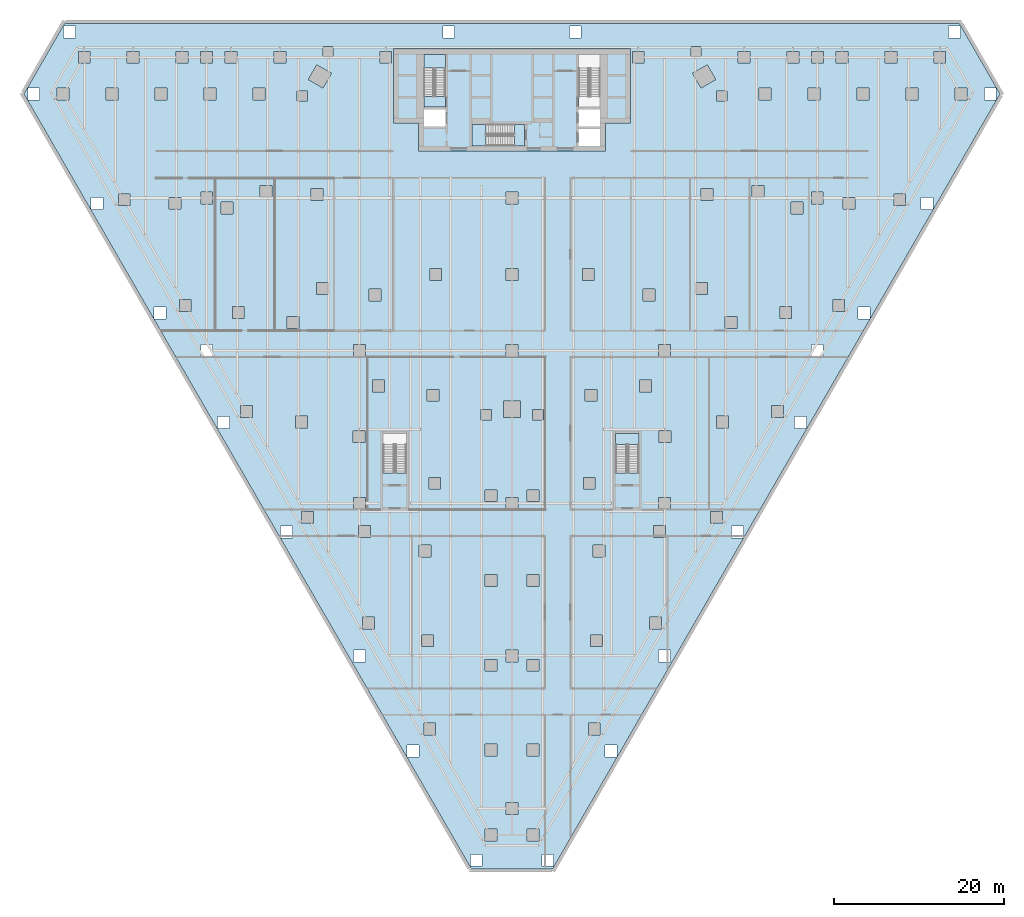
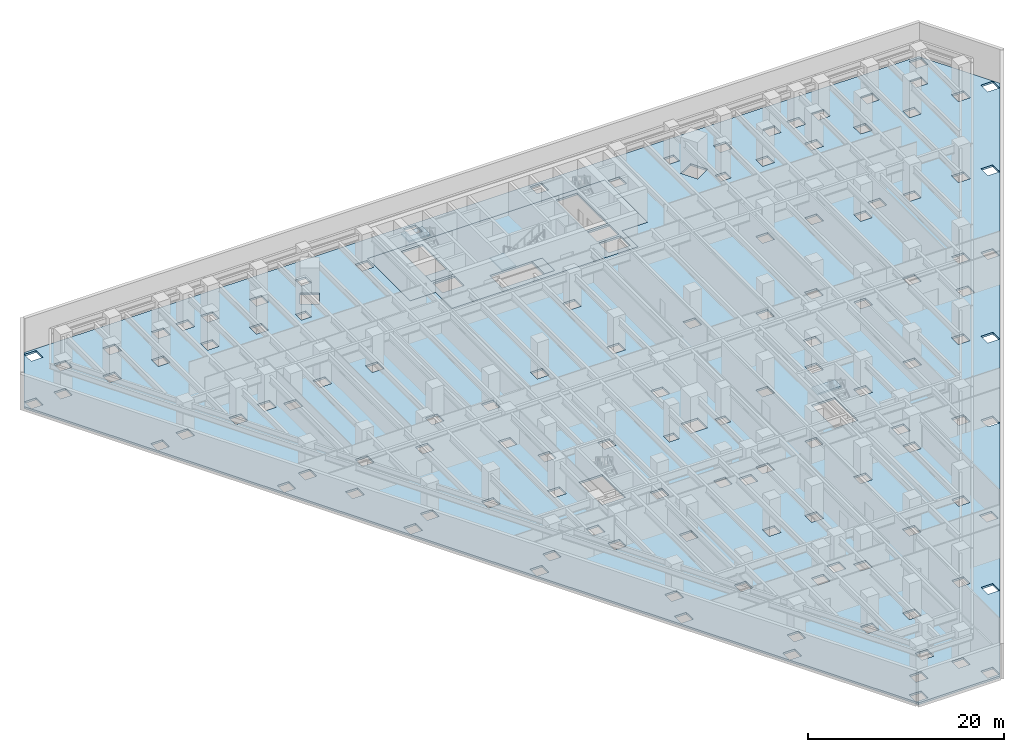
# One storey, part 6 of 20: 7 slabs, 3 elements without a shape of their own.
"""IFC4 building model written with IfcOpenShell, lengths in metres."""

from ifc_helpers import new_model, si_unit, direction, frame, origin, place, context, subcontext, project, spatial, polyline, outline, extrude, material, layer, layer_set, type_object, element, aggregate, save


model = new_model("IFC4")

# Units and contexts
model_context = context("Model", 3, precision=1e-05, world=origin(), true_north=direction((0.0, 1.0)))
body_context = subcontext(model_context, "Body", "Model", "MODEL_VIEW")
ifc_project = project(units=[si_unit("LENGTHUNIT", "METRE"), si_unit("AREAUNIT", "SQUARE_METRE"), si_unit("VOLUMEUNIT", "CUBIC_METRE"), si_unit("PLANEANGLEUNIT", "RADIAN"), si_unit("MASSUNIT", "GRAM", prefix="KILO")], contexts=[model_context])

# Site, building, storey
site_placement = place(None, origin())
site = spatial("IfcSite", under=ifc_project, at=site_placement, CompositionType="ELEMENT")
building_placement = place(site_placement, origin())
building = spatial("IfcBuilding", under=site, at=building_placement, Name="Aloe Facet Convention Tower", CompositionType="ELEMENT")
storey_placement = place(building_placement, frame((0.0, 0.0, -4.5)))
storey = spatial("IfcBuildingStorey", under=building, at=storey_placement, Name="B1", CompositionType="ELEMENT", Elevation=-4.5)

# Slabs
ifc_material_1 = material(Name="Concrete C80/95", Category="concrete")
ifc_layer_1 = layer(ifc_material_1, 0.25)
ifc_layer_set_1 = layer_set([ifc_layer_1], Name="CR-S-FLOOR250-C8095")
slab_type_1 = type_object("IfcSlabType", Name="CR-S-FLOOR250-C8095", PredefinedType="FLOOR", material=ifc_layer_set_1)
slab_1_placement = place(storey_placement, frame((0.0, 0.0, -0.25)))
element("IfcSlab", 1, at=slab_1_placement, inside=storey, type_object=slab_type_1, Name="Core floor B1", PredefinedType="FLOOR", context=body_context, shape_type="SweptSolid", body=[
    extrude(outline(polyline([(69.300048828125, 134.550048828125), (71.85009765625, 134.550048828125), (72.75, 134.550048828125), (74.699951171875, 134.550048828125), (75.60009765625, 134.550048828125), (77.10009765625, 134.550048828125), (78.0, 134.550048828125), (82.0, 134.550048828125), (82.89990234375, 134.550048828125), (84.39990234375, 134.550048828125), (85.300048828125, 134.550048828125), (87.25, 134.550048828125), (88.14990234375, 134.550048828125), (90.699951171875, 134.550048828125), (91.0, 134.550048828125), (94.0, 134.550048828125), (94.0, 131.949951171875), (94.0, 131.050048828125), (94.0, 129.35009765625), (94.0, 128.449951171875), (94.0, 125.85009765625), (91.0, 125.85009765625), (91.0, 125.75), (91.0, 124.85009765625), (91.0, 122.550048828125), (88.14990234375, 122.550048828125), (87.25, 122.550048828125), (85.300048828125, 122.550048828125), (84.39990234375, 122.550048828125), (82.10009765625, 122.550048828125), (81.199951171875, 122.550048828125), (75.60009765625, 122.550048828125), (74.699951171875, 122.550048828125), (72.75, 122.550048828125), (71.85009765625, 122.550048828125), (69.0, 122.550048828125), (69.0, 124.85009765625), (69.0, 125.75), (69.0, 125.85009765625), (66.0, 125.85009765625), (66.0, 128.449951171875), (66.0, 129.35009765625), (66.0, 131.050048828125), (66.0, 131.949951171875), (66.0, 134.550048828125), (69.0, 134.550048828125), (69.300048828125, 134.550048828125)]), holes=[polyline([(90.39990234375, 125.14990234375), (87.85009765625, 125.14990234375), (87.85009765625, 123.14990234375), (90.39990234375, 123.14990234375), (90.39990234375, 125.14990234375)]), polyline([(80.298828125, 123.14990234375), (81.5, 123.14990234375), (81.5, 125.699951171875), (80.298828125, 125.699951171875), (75.300048828125, 125.699951171875), (75.300048828125, 123.14990234375), (80.298828125, 123.14990234375)]), polyline([(72.14990234375, 125.449951171875), (72.14990234375, 127.449951171875), (69.60009765625, 127.449951171875), (69.60009765625, 125.449951171875), (72.14990234375, 125.449951171875)]), polyline([(90.39990234375, 127.449951171875), (87.85009765625, 127.449951171875), (87.85009765625, 125.449951171875), (90.39990234375, 125.449951171875), (90.39990234375, 127.449951171875)]), polyline([(69.60009765625, 128.951171875), (69.60009765625, 127.75), (72.14990234375, 127.75), (72.14990234375, 128.951171875), (72.14990234375, 133.949951171875), (69.60009765625, 133.949951171875), (69.60009765625, 128.951171875)]), polyline([(87.85009765625, 128.951171875), (87.85009765625, 127.75), (90.39990234375, 127.75), (90.39990234375, 128.951171875), (90.39990234375, 133.949951171875), (87.85009765625, 133.949951171875), (87.85009765625, 128.951171875)])]), origin(), (0.0, 0.0, 1.0), 0.25),
])
ifc_material_2 = material(Name="Concrete C80/95", Category="concrete")
ifc_layer_2 = layer(ifc_material_2, 0.300048828125)
ifc_layer_set_2 = layer_set([ifc_layer_2], Name="CR-S-FLOOR300-C8095")
slab_type_2 = type_object("IfcSlabType", Name="CR-S-FLOOR300-C8095", PredefinedType="FLOOR", material=ifc_layer_set_2)
slab_2_placement = place(storey_placement, frame((0.0, 0.0, -0.300048828125)))
element("IfcSlab", 2, at=slab_2_placement, inside=storey, type_object=slab_type_2, Name="Stair landing floor B1", PredefinedType="FLOOR", context=body_context, shape_type="SweptSolid", body=[
    extrude(outline(polyline([(72.14990234375, 127.75), (72.14990234375, 128.951171875), (69.60009765625, 128.951171875), (69.60009765625, 127.75), (72.14990234375, 127.75)])), origin(), (0.0, 0.0, 1.0), 0.300048828125),
])
slab_3_placement = place(storey_placement, frame((0.0, 0.0, -0.300048828125)))
element("IfcSlab", 3, at=slab_3_placement, inside=storey, type_object=slab_type_2, Name="Stair landing floor B1", PredefinedType="FLOOR", context=body_context, shape_type="SweptSolid", body=[
    extrude(outline(polyline([(81.5, 125.699951171875), (80.298828125, 125.699951171875), (80.298828125, 123.14990234375), (81.5, 123.14990234375), (81.5, 125.699951171875)])), origin(), (0.0, 0.0, 1.0), 0.300048828125),
])

# Stair, slab
ifc_material_3 = material(Name="Concrete C50/60", Category="concrete")
stair_type_1 = type_object("IfcStairType", Name="CR-ST-26R", PredefinedType="HALF_TURN_STAIR", material=ifc_material_3)
stair_1_placement = place(storey_placement, origin())
stair_1 = element("IfcStair", 4, at=stair_1_placement, inside=storey, type_object=stair_type_1, Name="B1 Protected exit stair ST1", PredefinedType="HALF_TURN_STAIR")
ifc_material_4 = material(Name="Concrete C50/60", Category="concrete")
ifc_layer_3 = layer(ifc_material_4, 0.199951171875)
ifc_layer_set_3 = layer_set([ifc_layer_3], Name="CR-SL-LANDING")
slab_type_3 = type_object("IfcSlabType", Name="CR-SL-LANDING", PredefinedType="LANDING", material=ifc_layer_set_3)
slab_4_placement = place(storey_placement, frame((0.0, 0.0, 2.050048828125)))
slab_4 = element("IfcSlab", 5, at=slab_4_placement, type_object=slab_type_3, Name="ST1 landing 1", PredefinedType="LANDING", context=body_context, shape_type="SweptSolid", body=[
    extrude(outline(polyline([(72.14990234375, 132.31005859375), (72.14990234375, 133.949951171875), (69.60009765625, 133.949951171875), (69.60009765625, 132.31005859375), (72.14990234375, 132.31005859375)])), origin(), (0.0, 0.0, 1.0), 0.199951171875),
])
aggregate(stair_1, [slab_4])

stair_2_placement = place(storey_placement, origin())
stair_2 = element("IfcStair", 6, at=stair_2_placement, inside=storey, type_object=stair_type_1, Name="B1 Protected exit stair ST3", PredefinedType="HALF_TURN_STAIR")
slab_5_placement = place(storey_placement, frame((0.0, 0.0, 2.050048828125)))
slab_5 = element("IfcSlab", 7, at=slab_5_placement, type_object=slab_type_3, Name="ST3 landing 1", PredefinedType="LANDING", context=body_context, shape_type="SweptSolid", body=[
    extrude(outline(polyline([(76.93994140625, 125.699951171875), (75.300048828125, 125.699951171875), (75.300048828125, 123.14990234375), (76.93994140625, 123.14990234375), (76.93994140625, 125.699951171875)])), origin(), (0.0, 0.0, 1.0), 0.199951171875),
])
aggregate(stair_2, [slab_5])

ifc_material_5 = material(Name="Concrete C50/60", Category="concrete")
stair_type_2 = type_object("IfcStairType", Name="CR-ST-26R-W1300", PredefinedType="HALF_TURN_STAIR", material=ifc_material_5)
stair_3_placement = place(storey_placement, origin())
stair_3 = element("IfcStair", 8, at=stair_3_placement, inside=storey, type_object=stair_type_2, Name="B1 Protected exit stair ST6", PredefinedType="HALF_TURN_STAIR")
slab_6_placement = place(storey_placement, frame((0.0, 0.0, 2.050048828125)))
slab_6 = element("IfcSlab", 9, at=slab_6_placement, type_object=slab_type_3, Name="ST6 landing 1", PredefinedType="LANDING", context=body_context, shape_type="SweptSolid", body=[
    extrude(outline(polyline([(94.97509765625, 87.909912109375), (94.97509765625, 89.25), (92.22509765625, 89.25), (92.22509765625, 87.909912109375), (94.97509765625, 87.909912109375)])), origin(), (0.0, 0.0, 1.0), 0.199951171875),
])
aggregate(stair_3, [slab_6])

# Slab
ifc_material_6 = material(Name="Concrete C35/45", Category="concrete")
ifc_layer_4 = layer(ifc_material_6, 0.25)
ifc_layer_set_4 = layer_set([ifc_layer_4], Name="SF-FS-250")
slab_type_4 = type_object("IfcSlabType", Name="SF-FS-250", PredefinedType="FLOOR", material=ifc_layer_set_4)
slab_7_placement = place(storey_placement, frame((0.0, 0.0, -0.25)))
element("IfcSlab", 10, at=slab_7_placement, inside=storey, type_object=slab_type_4, Name="Floor slab B1-1", PredefinedType="FLOOR", context=body_context, shape_type="SweptSolid", body=[
    extrude(outline(polyline([(84.801025390625, 37.88623046875), (75.198974609375, 37.88623046875), (22.430419921875, 129.2841796875), (27.2314453125, 137.60009765625), (132.7685546875, 137.60009765625), (137.569580078125, 129.2841796875), (84.801025390625, 37.88623046875)]), holes=[polyline([(52.708984375, 76.927978515625), (54.10888671875, 76.927978515625), (54.10888671875, 78.327880859375), (52.708984375, 78.327880859375), (52.708984375, 76.927978515625)]), polyline([(55.18310546875, 80.04296875), (55.18310546875, 78.64306640625), (56.5830078125, 78.64306640625), (56.5830078125, 80.04296875), (55.18310546875, 80.04296875)]), polyline([(45.2529296875, 91.241943359375), (45.2529296875, 89.842041015625), (46.653076171875, 89.842041015625), (46.653076171875, 91.241943359375), (45.2529296875, 91.241943359375)]), polyline([(54.465087890625, 91.284912109375), (54.465087890625, 89.885009765625), (55.864990234375, 89.885009765625), (55.864990234375, 91.284912109375), (54.465087890625, 91.284912109375)]), polyline([(47.97412109375, 92.528076171875), (47.97412109375, 91.1279296875), (49.3740234375, 91.1279296875), (49.3740234375, 92.528076171875), (47.97412109375, 92.528076171875)]), polyline([(43.300048828125, 99.699951171875), (43.300048828125, 98.300048828125), (44.699951171875, 98.300048828125), (44.699951171875, 99.699951171875), (43.300048828125, 99.699951171875)]), polyline([(53.4609375, 103.02490234375), (53.4609375, 101.625), (54.861083984375, 101.625), (54.861083984375, 103.02490234375), (53.4609375, 103.02490234375)]), polyline([(37.797119140625, 104.156005859375), (37.797119140625, 102.756103515625), (39.197021484375, 102.756103515625), (39.197021484375, 104.156005859375), (37.797119140625, 104.156005859375)]), polyline([(47.01806640625, 104.18505859375), (47.01806640625, 102.784912109375), (48.41796875, 102.784912109375), (48.41796875, 104.18505859375), (47.01806640625, 104.18505859375)]), polyline([(40.76611328125, 105.012939453125), (40.76611328125, 103.613037109375), (42.166015625, 103.613037109375), (42.166015625, 105.012939453125), (40.76611328125, 105.012939453125)]), polyline([(45.678955078125, 116.5048828125), (45.678955078125, 115.10498046875), (47.0791015625, 115.10498046875), (47.0791015625, 116.5048828125), (45.678955078125, 116.5048828125)]), polyline([(30.341064453125, 117.070068359375), (30.341064453125, 115.669921875), (31.740966796875, 115.669921875), (31.740966796875, 117.070068359375), (30.341064453125, 117.070068359375)]), polyline([(39.570068359375, 117.0849609375), (39.570068359375, 115.68505859375), (40.969970703125, 115.68505859375), (40.969970703125, 117.0849609375), (39.570068359375, 117.0849609375)]), polyline([(33.55810546875, 117.4990234375), (33.55810546875, 116.09912109375), (34.9580078125, 116.09912109375), (34.9580078125, 117.4990234375), (33.55810546875, 117.4990234375)]), polyline([(43.300048828125, 117.699951171875), (43.300048828125, 116.300048828125), (44.699951171875, 116.300048828125), (44.699951171875, 117.699951171875), (43.300048828125, 117.699951171875)]), polyline([(56.283935546875, 118.135009765625), (56.283935546875, 116.735107421875), (57.68408203125, 116.735107421875), (57.68408203125, 118.135009765625), (56.283935546875, 118.135009765625)]), polyline([(50.297119140625, 118.5048828125), (50.297119140625, 117.10498046875), (51.697021484375, 117.10498046875), (51.697021484375, 118.5048828125), (50.297119140625, 118.5048828125)]), polyline([(54.65625, 129.6279296875), (54.65625, 128.427978515625), (55.856201171875, 128.427978515625), (55.856201171875, 129.6279296875), (54.65625, 129.6279296875)]), polyline([(49.443115234375, 129.98388671875), (49.443115234375, 128.583984375), (50.843017578125, 128.583984375), (50.843017578125, 129.98388671875), (49.443115234375, 129.98388671875)]), polyline([(26.34912109375, 129.98388671875), (26.34912109375, 128.583984375), (27.7490234375, 128.583984375), (27.7490234375, 129.98388671875), (26.34912109375, 129.98388671875)]), polyline([(43.669921875, 129.98388671875), (43.669921875, 128.583984375), (45.070068359375, 128.583984375), (45.070068359375, 129.98388671875), (43.669921875, 129.98388671875)]), polyline([(37.89599609375, 129.98388671875), (37.89599609375, 128.583984375), (39.2958984375, 128.583984375), (39.2958984375, 129.98388671875), (37.89599609375, 129.98388671875)]), polyline([(32.123046875, 129.98388671875), (32.123046875, 128.583984375), (33.52294921875, 128.583984375), (33.52294921875, 129.98388671875), (32.123046875, 129.98388671875)]), polyline([(22.885009765625, 129.98388671875), (22.885009765625, 128.583984375), (24.284912109375, 128.583984375), (24.284912109375, 129.98388671875), (22.885009765625, 129.98388671875)]), polyline([(57.70166015625, 129.97607421875), (58.70166015625, 131.7080078125), (56.969482421875, 132.7080078125), (55.969482421875, 130.97607421875), (57.70166015625, 129.97607421875)]), polyline([(46.160888671875, 134.300048828125), (46.160888671875, 132.89990234375), (47.56103515625, 132.89990234375), (47.56103515625, 134.300048828125), (46.160888671875, 134.300048828125)]), polyline([(43.258056640625, 134.300048828125), (43.258056640625, 132.89990234375), (44.657958984375, 132.89990234375), (44.657958984375, 134.300048828125), (43.258056640625, 134.300048828125)]), polyline([(40.387939453125, 134.300048828125), (40.387939453125, 132.89990234375), (41.7880859375, 132.89990234375), (41.7880859375, 134.300048828125), (40.387939453125, 134.300048828125)]), polyline([(51.93505859375, 134.300048828125), (51.93505859375, 132.89990234375), (53.3349609375, 132.89990234375), (53.3349609375, 134.300048828125), (51.93505859375, 134.300048828125)]), polyline([(34.614013671875, 134.300048828125), (34.614013671875, 132.89990234375), (36.013916015625, 132.89990234375), (36.013916015625, 134.300048828125), (34.614013671875, 134.300048828125)]), polyline([(28.841064453125, 134.300048828125), (28.841064453125, 132.89990234375), (30.240966796875, 132.89990234375), (30.240966796875, 134.300048828125), (28.841064453125, 134.300048828125)]), polyline([(27.10888671875, 137.300048828125), (27.10888671875, 135.89990234375), (28.509033203125, 135.89990234375), (28.509033203125, 137.300048828125), (27.10888671875, 137.300048828125)]), polyline([(75.075927734375, 39.5859375), (75.075927734375, 38.18603515625), (76.47607421875, 38.18603515625), (76.47607421875, 39.5859375), (75.075927734375, 39.5859375)]), polyline([(76.80810546875, 42.5859375), (76.80810546875, 41.18603515625), (78.2080078125, 41.18603515625), (78.2080078125, 42.5859375), (76.80810546875, 42.5859375)]), polyline([(67.6201171875, 52.5), (67.6201171875, 51.10009765625), (69.02001953125, 51.10009765625), (69.02001953125, 52.5), (67.6201171875, 52.5)]), polyline([(76.80810546875, 52.5859375), (76.80810546875, 51.18603515625), (78.2080078125, 51.18603515625), (78.2080078125, 52.5859375), (76.80810546875, 52.5859375)]), polyline([(69.60009765625, 55.072021484375), (69.60009765625, 53.672119140625), (71.0, 53.672119140625), (71.0, 55.072021484375), (69.60009765625, 55.072021484375)]), polyline([(76.80810546875, 62.5859375), (76.80810546875, 61.18603515625), (78.2080078125, 61.18603515625), (78.2080078125, 62.5859375), (76.80810546875, 62.5859375)]), polyline([(61.300048828125, 63.699951171875), (61.300048828125, 62.300048828125), (62.699951171875, 62.300048828125), (62.699951171875, 63.699951171875), (61.300048828125, 63.699951171875)]), polyline([(69.361083984375, 65.486083984375), (69.361083984375, 64.0859375), (70.760986328125, 64.0859375), (70.760986328125, 65.486083984375), (69.361083984375, 65.486083984375)]), polyline([(62.39111328125, 67.556884765625), (62.39111328125, 66.156982421875), (63.791015625, 66.156982421875), (63.791015625, 67.556884765625), (62.39111328125, 67.556884765625)]), polyline([(76.80810546875, 72.5859375), (76.80810546875, 71.18603515625), (78.2080078125, 71.18603515625), (78.2080078125, 72.5859375), (76.80810546875, 72.5859375)]), polyline([(69.02587890625, 76.06591796875), (69.02587890625, 74.666015625), (70.426025390625, 74.666015625), (70.426025390625, 76.06591796875), (69.02587890625, 76.06591796875)]), polyline([(61.9130859375, 78.385986328125), (61.9130859375, 76.986083984375), (63.31298828125, 76.986083984375), (63.31298828125, 78.385986328125), (61.9130859375, 78.385986328125)]), polyline([(61.300048828125, 81.699951171875), (61.300048828125, 80.300048828125), (62.699951171875, 80.300048828125), (62.699951171875, 81.699951171875), (61.300048828125, 81.699951171875)]), polyline([(76.80810546875, 82.5859375), (76.80810546875, 81.18603515625), (78.2080078125, 81.18603515625), (78.2080078125, 82.5859375), (76.80810546875, 82.5859375)]), polyline([(70.180908203125, 84.06591796875), (70.180908203125, 82.666015625), (71.5810546875, 82.666015625), (71.5810546875, 84.06591796875), (70.180908203125, 84.06591796875)]), polyline([(64.800048828125, 89.25), (64.800048828125, 84.55126953125), (67.550048828125, 84.55126953125), (67.550048828125, 89.25), (64.800048828125, 89.25)]), polyline([(61.242919921875, 89.544921875), (61.242919921875, 88.14501953125), (62.64306640625, 88.14501953125), (62.64306640625, 89.544921875), (61.242919921875, 89.544921875)]), polyline([(76.356201171875, 92.04248046875), (76.356201171875, 90.842529296875), (77.55615234375, 90.842529296875), (77.55615234375, 92.04248046875), (76.356201171875, 92.04248046875)]), polyline([(81.0, 93.086181640625), (79.0, 93.086181640625), (79.0, 91.086181640625), (81.0, 91.086181640625), (81.0, 93.086181640625)]), polyline([(69.967041015625, 94.43603515625), (69.967041015625, 93.035888671875), (71.366943359375, 93.035888671875), (71.366943359375, 94.43603515625), (69.967041015625, 94.43603515625)]), polyline([(63.552978515625, 95.544921875), (63.552978515625, 94.14501953125), (64.952880859375, 94.14501953125), (64.952880859375, 95.544921875), (63.552978515625, 95.544921875)]), polyline([(79.300048828125, 99.699951171875), (79.300048828125, 98.300048828125), (80.699951171875, 98.300048828125), (80.699951171875, 99.699951171875), (79.300048828125, 99.699951171875)]), polyline([(61.300048828125, 99.699951171875), (61.300048828125, 98.300048828125), (62.699951171875, 98.300048828125), (62.699951171875, 99.699951171875), (61.300048828125, 99.699951171875)]), polyline([(63.1259765625, 106.284912109375), (63.1259765625, 104.885009765625), (64.52587890625, 104.885009765625), (64.52587890625, 106.284912109375), (63.1259765625, 106.284912109375)]), polyline([(56.925048828125, 107.02490234375), (56.925048828125, 105.625), (58.324951171875, 105.625), (58.324951171875, 107.02490234375), (56.925048828125, 107.02490234375)]), polyline([(70.300048828125, 108.699951171875), (70.300048828125, 107.300048828125), (71.699951171875, 107.300048828125), (71.699951171875, 108.699951171875), (70.300048828125, 108.699951171875)]), polyline([(79.300048828125, 108.699951171875), (79.300048828125, 107.300048828125), (80.699951171875, 107.300048828125), (80.699951171875, 108.699951171875), (79.300048828125, 108.699951171875)]), polyline([(79.300048828125, 117.699951171875), (79.300048828125, 116.300048828125), (80.699951171875, 116.300048828125), (80.699951171875, 117.699951171875), (79.300048828125, 117.699951171875)]), polyline([(75.60009765625, 134.550048828125), (74.699951171875, 134.550048828125), (72.75, 134.550048828125), (71.85009765625, 134.550048828125), (69.300048828125, 134.550048828125), (69.0, 134.550048828125), (66.0, 134.550048828125), (66.0, 131.949951171875), (66.0, 131.050048828125), (66.0, 129.35009765625), (66.0, 128.449951171875), (66.0, 125.85009765625), (69.0, 125.85009765625), (69.0, 125.75), (69.0, 124.85009765625), (69.0, 122.550048828125), (71.85009765625, 122.550048828125), (72.75, 122.550048828125), (74.699951171875, 122.550048828125), (75.60009765625, 122.550048828125), (81.199951171875, 122.550048828125), (82.10009765625, 122.550048828125), (84.39990234375, 122.550048828125), (85.300048828125, 122.550048828125), (87.25, 122.550048828125), (88.14990234375, 122.550048828125), (91.0, 122.550048828125), (91.0, 124.85009765625), (91.0, 125.75), (91.0, 125.85009765625), (94.0, 125.85009765625), (94.0, 128.449951171875), (94.0, 129.35009765625), (94.0, 131.050048828125), (94.0, 131.949951171875), (94.0, 134.550048828125), (91.0, 134.550048828125), (90.699951171875, 134.550048828125), (88.14990234375, 134.550048828125), (87.25, 134.550048828125), (85.300048828125, 134.550048828125), (84.39990234375, 134.550048828125), (82.89990234375, 134.550048828125), (82.0, 134.550048828125), (78.0, 134.550048828125), (77.10009765625, 134.550048828125), (75.60009765625, 134.550048828125)]), polyline([(64.405029296875, 134.300048828125), (64.405029296875, 132.89990234375), (65.804931640625, 132.89990234375), (65.804931640625, 134.300048828125), (64.405029296875, 134.300048828125)]), polyline([(57.699951171875, 134.89990234375), (57.699951171875, 133.699951171875), (58.89990234375, 133.699951171875), (58.89990234375, 134.89990234375), (57.699951171875, 134.89990234375)]), polyline([(71.843994140625, 135.89990234375), (73.243896484375, 135.89990234375), (73.243896484375, 137.300048828125), (71.843994140625, 137.300048828125), (71.843994140625, 135.89990234375)]), polyline([(83.52392578125, 39.5859375), (83.52392578125, 38.18603515625), (84.924072265625, 38.18603515625), (84.924072265625, 39.5859375), (83.52392578125, 39.5859375)]), polyline([(81.7919921875, 42.5859375), (81.7919921875, 41.18603515625), (83.19189453125, 41.18603515625), (83.19189453125, 42.5859375), (81.7919921875, 42.5859375)]), polyline([(79.300048828125, 45.699951171875), (79.300048828125, 44.300048828125), (80.699951171875, 44.300048828125), (80.699951171875, 45.699951171875), (79.300048828125, 45.699951171875)]), polyline([(90.97998046875, 52.5), (90.97998046875, 51.10009765625), (92.3798828125, 51.10009765625), (92.3798828125, 52.5), (90.97998046875, 52.5)]), polyline([(81.7919921875, 52.5859375), (81.7919921875, 51.18603515625), (83.19189453125, 51.18603515625), (83.19189453125, 52.5859375), (81.7919921875, 52.5859375)]), polyline([(89.0, 55.072021484375), (89.0, 53.672119140625), (90.39990234375, 53.672119140625), (90.39990234375, 55.072021484375), (89.0, 55.072021484375)]), polyline([(81.7919921875, 62.5859375), (81.7919921875, 61.18603515625), (83.19189453125, 61.18603515625), (83.19189453125, 62.5859375), (81.7919921875, 62.5859375)]), polyline([(79.300048828125, 63.699951171875), (79.300048828125, 62.300048828125), (80.699951171875, 62.300048828125), (80.699951171875, 63.699951171875), (79.300048828125, 63.699951171875)]), polyline([(97.300048828125, 63.699951171875), (97.300048828125, 62.300048828125), (98.699951171875, 62.300048828125), (98.699951171875, 63.699951171875), (97.300048828125, 63.699951171875)]), polyline([(89.239013671875, 65.486083984375), (89.239013671875, 64.0859375), (90.638916015625, 64.0859375), (90.638916015625, 65.486083984375), (89.239013671875, 65.486083984375)]), polyline([(96.208984375, 67.556884765625), (96.208984375, 66.156982421875), (97.60888671875, 66.156982421875), (97.60888671875, 67.556884765625), (96.208984375, 67.556884765625)]), polyline([(81.7919921875, 72.5859375), (81.7919921875, 71.18603515625), (83.19189453125, 71.18603515625), (83.19189453125, 72.5859375), (81.7919921875, 72.5859375)]), polyline([(89.573974609375, 76.06591796875), (89.573974609375, 74.666015625), (90.97412109375, 74.666015625), (90.97412109375, 76.06591796875), (89.573974609375, 76.06591796875)]), polyline([(96.68701171875, 78.385986328125), (96.68701171875, 76.986083984375), (98.0869140625, 76.986083984375), (98.0869140625, 78.385986328125), (96.68701171875, 78.385986328125)]), polyline([(79.300048828125, 81.699951171875), (79.300048828125, 80.300048828125), (80.699951171875, 80.300048828125), (80.699951171875, 81.699951171875), (79.300048828125, 81.699951171875)]), polyline([(97.300048828125, 81.699951171875), (97.300048828125, 80.300048828125), (98.699951171875, 80.300048828125), (98.699951171875, 81.699951171875), (97.300048828125, 81.699951171875)]), polyline([(81.7919921875, 82.5859375), (81.7919921875, 81.18603515625), (83.19189453125, 81.18603515625), (83.19189453125, 82.5859375), (81.7919921875, 82.5859375)]), polyline([(88.4189453125, 84.06591796875), (88.4189453125, 82.666015625), (89.819091796875, 82.666015625), (89.819091796875, 84.06591796875), (88.4189453125, 84.06591796875)]), polyline([(92.22509765625, 89.25), (92.22509765625, 84.55126953125), (94.97509765625, 84.55126953125), (94.97509765625, 89.25), (92.22509765625, 89.25)]), polyline([(97.35693359375, 89.544921875), (97.35693359375, 88.14501953125), (98.757080078125, 88.14501953125), (98.757080078125, 89.544921875), (97.35693359375, 89.544921875)]), polyline([(82.44384765625, 92.04248046875), (82.44384765625, 90.842529296875), (83.643798828125, 90.842529296875), (83.643798828125, 92.04248046875), (82.44384765625, 92.04248046875)]), polyline([(88.633056640625, 94.43603515625), (88.633056640625, 93.035888671875), (90.032958984375, 93.035888671875), (90.032958984375, 94.43603515625), (88.633056640625, 94.43603515625)]), polyline([(95.047119140625, 95.544921875), (95.047119140625, 94.14501953125), (96.447021484375, 94.14501953125), (96.447021484375, 95.544921875), (95.047119140625, 95.544921875)]), polyline([(97.300048828125, 99.699951171875), (97.300048828125, 98.300048828125), (98.699951171875, 98.300048828125), (98.699951171875, 99.699951171875), (97.300048828125, 99.699951171875)]), polyline([(95.47412109375, 106.284912109375), (95.47412109375, 104.885009765625), (96.8740234375, 104.885009765625), (96.8740234375, 106.284912109375), (95.47412109375, 106.284912109375)]), polyline([(101.675048828125, 107.02490234375), (101.675048828125, 105.625), (103.074951171875, 105.625), (103.074951171875, 107.02490234375), (101.675048828125, 107.02490234375)]), polyline([(88.300048828125, 108.699951171875), (88.300048828125, 107.300048828125), (89.699951171875, 107.300048828125), (89.699951171875, 108.699951171875), (88.300048828125, 108.699951171875)]), polyline([(102.31591796875, 118.135009765625), (102.31591796875, 116.735107421875), (103.716064453125, 116.735107421875), (103.716064453125, 118.135009765625), (102.31591796875, 118.135009765625)]), polyline([(101.29833984375, 131.7080078125), (102.29833984375, 129.97607421875), (104.030517578125, 130.97607421875), (103.030517578125, 132.7080078125), (101.29833984375, 131.7080078125)]), polyline([(94.195068359375, 134.300048828125), (94.195068359375, 132.89990234375), (95.594970703125, 132.89990234375), (95.594970703125, 134.300048828125), (94.195068359375, 134.300048828125)]), polyline([(101.10009765625, 134.89990234375), (101.10009765625, 133.699951171875), (102.300048828125, 133.699951171875), (102.300048828125, 134.89990234375), (101.10009765625, 134.89990234375)]), polyline([(86.756103515625, 137.300048828125), (86.756103515625, 135.89990234375), (88.156005859375, 135.89990234375), (88.156005859375, 137.300048828125), (86.756103515625, 137.300048828125)]), polyline([(105.89111328125, 78.327880859375), (105.89111328125, 76.927978515625), (107.291015625, 76.927978515625), (107.291015625, 78.327880859375), (105.89111328125, 78.327880859375)]), polyline([(103.4169921875, 80.04296875), (103.4169921875, 78.64306640625), (104.81689453125, 78.64306640625), (104.81689453125, 80.04296875), (103.4169921875, 80.04296875)]), polyline([(113.346923828125, 91.241943359375), (113.346923828125, 89.842041015625), (114.7470703125, 89.842041015625), (114.7470703125, 91.241943359375), (113.346923828125, 91.241943359375)]), polyline([(104.135009765625, 91.284912109375), (104.135009765625, 89.885009765625), (105.534912109375, 89.885009765625), (105.534912109375, 91.284912109375), (104.135009765625, 91.284912109375)]), polyline([(110.6259765625, 92.528076171875), (110.6259765625, 91.1279296875), (112.02587890625, 91.1279296875), (112.02587890625, 92.528076171875), (110.6259765625, 92.528076171875)]), polyline([(115.300048828125, 99.699951171875), (115.300048828125, 98.300048828125), (116.699951171875, 98.300048828125), (116.699951171875, 99.699951171875), (115.300048828125, 99.699951171875)]), polyline([(105.138916015625, 103.02490234375), (105.138916015625, 101.625), (106.5390625, 101.625), (106.5390625, 103.02490234375), (105.138916015625, 103.02490234375)]), polyline([(120.802978515625, 104.156005859375), (120.802978515625, 102.756103515625), (122.202880859375, 102.756103515625), (122.202880859375, 104.156005859375), (120.802978515625, 104.156005859375)]), polyline([(111.58203125, 104.18505859375), (111.58203125, 102.784912109375), (112.98193359375, 102.784912109375), (112.98193359375, 104.18505859375), (111.58203125, 104.18505859375)]), polyline([(117.833984375, 105.012939453125), (117.833984375, 103.613037109375), (119.23388671875, 103.613037109375), (119.23388671875, 105.012939453125), (117.833984375, 105.012939453125)]), polyline([(112.9208984375, 116.5048828125), (112.9208984375, 115.10498046875), (114.321044921875, 115.10498046875), (114.321044921875, 116.5048828125), (112.9208984375, 116.5048828125)]), polyline([(128.259033203125, 117.070068359375), (128.259033203125, 115.669921875), (129.658935546875, 115.669921875), (129.658935546875, 117.070068359375), (128.259033203125, 117.070068359375)]), polyline([(119.030029296875, 117.0849609375), (119.030029296875, 115.68505859375), (120.429931640625, 115.68505859375), (120.429931640625, 117.0849609375), (119.030029296875, 117.0849609375)]), polyline([(125.0419921875, 117.4990234375), (125.0419921875, 116.09912109375), (126.44189453125, 116.09912109375), (126.44189453125, 117.4990234375), (125.0419921875, 117.4990234375)]), polyline([(115.300048828125, 117.699951171875), (115.300048828125, 116.300048828125), (116.699951171875, 116.300048828125), (116.699951171875, 117.699951171875), (115.300048828125, 117.699951171875)]), polyline([(108.302978515625, 118.5048828125), (108.302978515625, 117.10498046875), (109.702880859375, 117.10498046875), (109.702880859375, 118.5048828125), (108.302978515625, 118.5048828125)]), polyline([(104.143798828125, 129.6279296875), (104.143798828125, 128.427978515625), (105.34375, 128.427978515625), (105.34375, 129.6279296875), (104.143798828125, 129.6279296875)]), polyline([(114.929931640625, 129.98388671875), (114.929931640625, 128.583984375), (116.330078125, 128.583984375), (116.330078125, 129.98388671875), (114.929931640625, 129.98388671875)]), polyline([(120.7041015625, 129.98388671875), (120.7041015625, 128.583984375), (122.10400390625, 128.583984375), (122.10400390625, 129.98388671875), (120.7041015625, 129.98388671875)]), polyline([(109.156982421875, 129.98388671875), (109.156982421875, 128.583984375), (110.556884765625, 128.583984375), (110.556884765625, 129.98388671875), (109.156982421875, 129.98388671875)]), polyline([(126.47705078125, 129.98388671875), (126.47705078125, 128.583984375), (127.876953125, 128.583984375), (127.876953125, 129.98388671875), (126.47705078125, 129.98388671875)]), polyline([(132.2509765625, 129.98388671875), (132.2509765625, 128.583984375), (133.65087890625, 128.583984375), (133.65087890625, 129.98388671875), (132.2509765625, 129.98388671875)]), polyline([(135.715087890625, 129.98388671875), (135.715087890625, 128.583984375), (137.114990234375, 128.583984375), (137.114990234375, 129.98388671875), (135.715087890625, 129.98388671875)]), polyline([(115.342041015625, 134.300048828125), (115.342041015625, 132.89990234375), (116.741943359375, 132.89990234375), (116.741943359375, 134.300048828125), (115.342041015625, 134.300048828125)]), polyline([(118.2119140625, 134.300048828125), (118.2119140625, 132.89990234375), (119.612060546875, 132.89990234375), (119.612060546875, 134.300048828125), (118.2119140625, 134.300048828125)]), polyline([(112.43896484375, 134.300048828125), (112.43896484375, 132.89990234375), (113.839111328125, 132.89990234375), (113.839111328125, 134.300048828125), (112.43896484375, 134.300048828125)]), polyline([(123.986083984375, 134.300048828125), (123.986083984375, 132.89990234375), (125.385986328125, 132.89990234375), (125.385986328125, 134.300048828125), (123.986083984375, 134.300048828125)]), polyline([(106.6650390625, 134.300048828125), (106.6650390625, 132.89990234375), (108.06494140625, 132.89990234375), (108.06494140625, 134.300048828125), (106.6650390625, 134.300048828125)]), polyline([(129.759033203125, 134.300048828125), (129.759033203125, 132.89990234375), (131.158935546875, 132.89990234375), (131.158935546875, 134.300048828125), (129.759033203125, 134.300048828125)]), polyline([(131.490966796875, 137.300048828125), (131.490966796875, 135.89990234375), (132.89111328125, 135.89990234375), (132.89111328125, 137.300048828125), (131.490966796875, 137.300048828125)])]), origin(), (0.0, 0.0, 1.0), 0.25),
])

save(model, "model.ifc")
